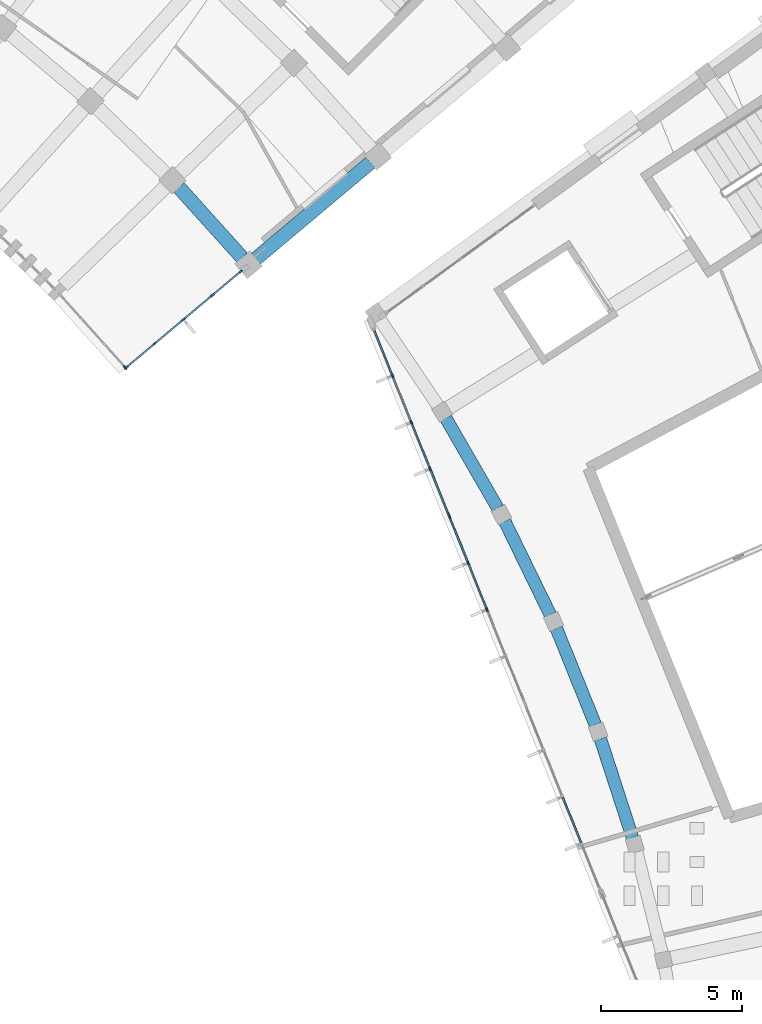
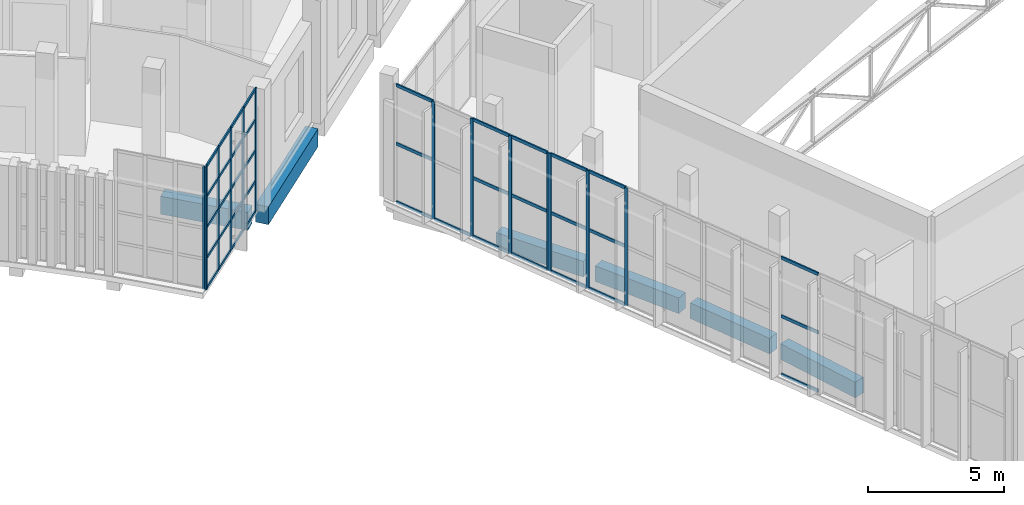
# One storey, part 23 of 112: 52 members, 6 beams, 5 elements without a shape of their own.
"""IFC4 building model written with IfcOpenShell, lengths in metres."""

from ifc_helpers import new_model, si_unit, direction, frame, origin, origin_2d, place, context, subcontext, project, spatial, rectangle, extrude, material, layer, layer_set, material_profile, profile_set, type_object, element, aggregate, save


model = new_model("IFC4")

# Units and contexts
model_context = context("Model", 3, precision=1e-05, world=origin(), true_north=direction((0.0, 1.0)))
body_context = subcontext(model_context, "Body", "Model", "MODEL_VIEW")
ifc_project = project(units=[si_unit("LENGTHUNIT", "METRE"), si_unit("AREAUNIT", "SQUARE_METRE"), si_unit("VOLUMEUNIT", "CUBIC_METRE"), si_unit("PLANEANGLEUNIT", "RADIAN"), si_unit("MASSUNIT", "GRAM", prefix="KILO")], contexts=[model_context])

# Site, building, storey
site_placement = place(None, origin())
site = spatial("IfcSite", under=ifc_project, at=site_placement, CompositionType="ELEMENT")
building_placement = place(site_placement, origin())
building = spatial("IfcBuilding", under=site, at=building_placement, Name="Lunette Opera House", CompositionType="ELEMENT")
storey_placement = place(building_placement, frame((0.0, 0.0, 6.0)))
storey = spatial("IfcBuildingStorey", under=building, at=storey_placement, Name="L01", CompositionType="ELEMENT", Elevation=6.0)

# Curtain wall, members
ifc_material_1 = material(Name="Aluminium", Category="aluminium")
ifc_layer_1 = layer(ifc_material_1, 0.139892578125)
ifc_layer_set_1 = layer_set([ifc_layer_1], Name="Aluminium")
curtain_wall_type_1 = type_object("IfcCurtainWallType", Name="STUDIO CURTAIN WALL", PredefinedType="NOTDEFINED", material=ifc_layer_set_1)
curtain_wall_1_placement = place(storey_placement, origin())
curtain_wall_1 = element("IfcCurtainWall", 1, at=curtain_wall_1_placement, inside=storey, type_object=curtain_wall_type_1, Name="Studio Curtain Wall F05 L01", PredefinedType="NOTDEFINED")
ifc_material_2 = material(Name="Aluminium", Category="aluminium")
ifc_material_profile_1 = material_profile(ifc_material_2, rectangle(XDim=0.06005859375, YDim=0.139892578125, at=origin_2d()), Name="MULLION 60 X 140")
ifc_profile_set_1 = profile_set([ifc_material_profile_1], Name="Aluminium")
member_type_1 = type_object("IfcMemberType", Name="MULLION 60 X 140", PredefinedType="MULLION", material=ifc_profile_set_1)
member_1_placement = place(storey_placement, frame((145.545166015625, 33.3427734375, 0.0), z_axis=(0.0, 0.0, 1.0), x_axis=(0.927167994967, 0.37464584491, 0.0)))
member_1 = element("IfcMember", 2, at=member_1_placement, type_object=member_type_1, Name="SB-X2008 mullion 2", PredefinedType="MULLION", context=body_context, shape_type="SweptSolid", body=[
    extrude(rectangle(XDim=0.06005859375, YDim=0.139892578125, at=origin_2d()), origin(), (0.0, 0.0, 1.0), 5.280029296875),
])
member_2_placement = place(storey_placement, frame((146.214599609375, 31.6865234375, 0.0), z_axis=(0.0, 0.0, 1.0), x_axis=(0.927167994967, 0.37464584491, 0.0)))
member_2 = element("IfcMember", 3, at=member_2_placement, type_object=member_type_1, Name="SB-X2008 mullion 3", PredefinedType="MULLION", context=body_context, shape_type="SweptSolid", body=[
    extrude(rectangle(XDim=0.06005859375, YDim=0.139892578125, at=origin_2d()), origin(), (0.0, 0.0, 1.0), 5.280029296875),
])
member_3_placement = place(storey_placement, frame((146.8837890625, 30.0302734375, 0.0), z_axis=(0.0, 0.0, 1.0), x_axis=(0.927167994967, 0.37464584491, 0.0)))
member_3 = element("IfcMember", 4, at=member_3_placement, type_object=member_type_1, Name="SB-X2008 mullion 4", PredefinedType="MULLION", context=body_context, shape_type="SweptSolid", body=[
    extrude(rectangle(XDim=0.06005859375, YDim=0.139892578125, at=origin_2d()), origin(), (0.0, 0.0, 1.0), 5.280029296875),
])
member_4_placement = place(storey_placement, frame((147.541748046875, 28.40185546875, 0.0), z_axis=(0.0, 0.0, 1.0), x_axis=(0.927167994967, 0.37464584491, 0.0)))
member_4 = element("IfcMember", 5, at=member_4_placement, type_object=member_type_1, Name="SB-X2008 mullion 5", PredefinedType="MULLION", context=body_context, shape_type="SweptSolid", body=[
    extrude(rectangle(XDim=0.06005859375, YDim=0.139892578125, at=origin_2d()), origin(), (0.0, 0.0, 1.0), 5.280029296875),
])

curtain_wall_2_placement = place(storey_placement, origin())
curtain_wall_2 = element("IfcCurtainWall", 6, at=curtain_wall_2_placement, inside=storey, type_object=curtain_wall_type_1, Name="Studio Curtain Wall F06 L01", PredefinedType="NOTDEFINED")
member_5_placement = place(storey_placement, frame((147.5751953125, 28.318115234375, 0.0), z_axis=(0.0, 0.0, 1.0), x_axis=(0.927187634441, 0.374597237762, 0.0)))
member_5 = element("IfcMember", 7, at=member_5_placement, type_object=member_type_1, Name="SB-X2009 mullion 1", PredefinedType="MULLION", context=body_context, shape_type="SweptSolid", body=[
    extrude(rectangle(XDim=0.06005859375, YDim=0.139892578125, at=origin_2d()), origin(), (0.0, 0.0, 1.0), 5.280029296875),
])
member_6_placement = place(storey_placement, frame((148.233154296875, 26.689453125, 0.0), z_axis=(0.0, 0.0, 1.0), x_axis=(0.927187634441, 0.374597237762, 0.0)))
member_6 = element("IfcMember", 8, at=member_6_placement, type_object=member_type_1, Name="SB-X2009 mullion 2", PredefinedType="MULLION", context=body_context, shape_type="SweptSolid", body=[
    extrude(rectangle(XDim=0.06005859375, YDim=0.139892578125, at=origin_2d()), origin(), (0.0, 0.0, 1.0), 5.280029296875),
])
member_7_placement = place(storey_placement, frame((148.902587890625, 25.032958984375, 0.0), z_axis=(0.0, 0.0, 1.0), x_axis=(0.927187634441, 0.374597237762, 0.0)))
member_7 = element("IfcMember", 9, at=member_7_placement, type_object=member_type_1, Name="SB-X2009 mullion 3", PredefinedType="MULLION", context=body_context, shape_type="SweptSolid", body=[
    extrude(rectangle(XDim=0.06005859375, YDim=0.139892578125, at=origin_2d()), origin(), (0.0, 0.0, 1.0), 5.280029296875),
])

# Curtain wall, member
ifc_material_3 = material(Name="Aluminium", Category="aluminium")
ifc_layer_2 = layer(ifc_material_3, 0.159912109375)
ifc_layer_set_2 = layer_set([ifc_layer_2], Name="Aluminium")
curtain_wall_type_2 = type_object("IfcCurtainWallType", Name="CORNER CURTAIN WALL", PredefinedType="NOTDEFINED", material=ifc_layer_set_2)
curtain_wall_3_placement = place(storey_placement, origin())
curtain_wall_3 = element("IfcCurtainWall", 10, at=curtain_wall_3_placement, inside=storey, type_object=curtain_wall_type_2, Name="Corner Curtain Wall GC-E1 L01", PredefinedType="NOTDEFINED")
ifc_material_4 = material(Name="Aluminium", Category="aluminium")
ifc_material_profile_2 = material_profile(ifc_material_4, rectangle(XDim=0.06005859375, YDim=0.159912109375, at=origin_2d()), Name="MULLION 60 X 160")
ifc_profile_set_2 = profile_set([ifc_material_profile_2], Name="Aluminium")
member_type_2 = type_object("IfcMemberType", Name="MULLION 60 X 160", PredefinedType="MULLION", material=ifc_profile_set_2)
member_8_placement = place(storey_placement, frame((136.0439453125, 33.640380859375, 0.0), z_axis=(0.0, 0.0, 1.0), x_axis=(0.744216793887, 0.667938143615, 0.0)))
member_8 = element("IfcMember", 11, at=member_8_placement, type_object=member_type_2, Name="FC-X2173 mullion 4", PredefinedType="MULLION", context=body_context, shape_type="SweptSolid", body=[
    extrude(rectangle(XDim=0.06005859375, YDim=0.159912109375, at=origin_2d()), origin(), (0.0, 0.0, 1.0), 5.5),
])
aggregate(curtain_wall_3, [member_8])

# Curtain wall, members
curtain_wall_4_placement = place(storey_placement, origin())
curtain_wall_4 = element("IfcCurtainWall", 12, at=curtain_wall_4_placement, inside=storey, type_object=curtain_wall_type_2, Name="Corner Curtain Wall GC-E2 L01", PredefinedType="NOTDEFINED")
member_9_placement = place(storey_placement, frame((136.0869140625, 33.63720703125, 0.0), z_axis=(0.0, 0.0, 1.0), x_axis=(-0.64282816277, 0.766010413212, 0.0)))
member_9 = element("IfcMember", 13, at=member_9_placement, type_object=member_type_2, Name="FC-X2174 mullion 1", PredefinedType="MULLION", context=body_context, shape_type="SweptSolid", body=[
    extrude(rectangle(XDim=0.06005859375, YDim=0.159912109375, at=origin_2d()), origin(), (0.0, 0.0, 1.0), 5.5),
])
member_10_placement = place(storey_placement, frame((137.08837890625, 34.477783203125, 0.0), z_axis=(0.0, 0.0, 1.0), x_axis=(-0.64282816277, 0.766010413212, 0.0)))
member_10 = element("IfcMember", 14, at=member_10_placement, type_object=member_type_2, Name="FC-X2174 mullion 2", PredefinedType="MULLION", context=body_context, shape_type="SweptSolid", body=[
    extrude(rectangle(XDim=0.06005859375, YDim=0.159912109375, at=origin_2d()), origin(), (0.0, 0.0, 1.0), 5.5),
])
member_11_placement = place(storey_placement, frame((138.113037109375, 35.33740234375, 0.0), z_axis=(0.0, 0.0, 1.0), x_axis=(-0.64282816277, 0.766010413212, 0.0)))
member_11 = element("IfcMember", 15, at=member_11_placement, type_object=member_type_2, Name="FC-X2174 mullion 3", PredefinedType="MULLION", context=body_context, shape_type="SweptSolid", body=[
    extrude(rectangle(XDim=0.06005859375, YDim=0.159912109375, at=origin_2d()), origin(), (0.0, 0.0, 1.0), 5.5),
])
member_12_placement = place(storey_placement, frame((139.137451171875, 36.197265625, 0.0), z_axis=(0.0, 0.0, 1.0), x_axis=(-0.64282816277, 0.766010413212, 0.0)))
member_12 = element("IfcMember", 16, at=member_12_placement, type_object=member_type_2, Name="FC-X2174 mullion 4", PredefinedType="MULLION", context=body_context, shape_type="SweptSolid", body=[
    extrude(rectangle(XDim=0.06005859375, YDim=0.159912109375, at=origin_2d()), origin(), (0.0, 0.0, 1.0), 5.5),
])
member_13_placement = place(storey_placement, frame((140.138916015625, 37.03759765625, 0.0), z_axis=(0.0, 0.0, 1.0), x_axis=(-0.64282816277, 0.766010413212, 0.0)))
member_13 = element("IfcMember", 17, at=member_13_placement, type_object=member_type_2, Name="FC-X2174 mullion 5", PredefinedType="MULLION", context=body_context, shape_type="SweptSolid", body=[
    extrude(rectangle(XDim=0.06005859375, YDim=0.159912109375, at=origin_2d()), origin(), (0.0, 0.0, 1.0), 5.5),
])

# Beams
ifc_material_5 = material(Name="Concrete C35/45", Category="concrete")
ifc_material_profile_3 = material_profile(ifc_material_5, rectangle(XDim=0.449951171875, YDim=0.699951171875, at=origin_2d()), Name="RC BEAM 450X700")
ifc_profile_set_3 = profile_set([ifc_material_profile_3], Name="Concrete C35/45")
beam_type_1 = type_object("IfcBeamType", Name="RC BEAM 450X700", PredefinedType="BEAM", material=ifc_profile_set_3)
beam_1_placement = place(storey_placement, frame((147.43896484375, 31.8310546875, -0.570068359375), z_axis=(0.50011347935, -0.865959876537, 0.0), x_axis=(0.865959876537, 0.50011347935, 0.0)))
element("IfcBeam", 18, at=beam_1_placement, inside=storey, type_object=beam_type_1, Name="beam-SB-L01-L01-RG01", PredefinedType="BEAM", context=body_context, shape_type="SweptSolid", body=[
    extrude(rectangle(XDim=0.449951171875, YDim=0.699951171875, at=origin_2d()), origin(), (0.0, 0.0, 1.0), 3.693115234375),
])
for number, where, z_axis, x_axis, name in (
    (19, (149.533935546875, 28.1650390625, -0.570068359375), (0.438439261918, -0.898760821136, 0.0), (0.898760821136, 0.438439261918, 0.0), "beam-SB-L01-L01-RG02"),
    (20, (151.368896484375, 24.362060546875, -0.570068359375), (0.374523169532, -0.927217555638, 0.0), (0.927217555638, 0.374523169532, 0.0), "beam-SB-L01-L01-RG03"),
):
    element("IfcBeam", number, at=place(storey_placement, frame(where, z_axis=z_axis, x_axis=x_axis)), inside=storey, type_object=beam_type_1, Name=name, PredefinedType="BEAM", context=body_context, shape_type="SweptSolid", body=[
        extrude(rectangle(XDim=0.449951171875, YDim=0.699951171875, at=origin_2d()), origin(), (0.0, 0.0, 1.0), 3.69287109375),
    ])
beam_2_placement = place(storey_placement, frame((152.93310546875, 20.43994140625, -0.570068359375), z_axis=(0.30895899574, -0.951075359239, 0.0), x_axis=(0.951075359239, 0.30895899574, 0.0)))
element("IfcBeam", 21, at=beam_2_placement, inside=storey, type_object=beam_type_1, Name="beam-SB-L01-L01-RG04", PredefinedType="BEAM", context=body_context, shape_type="SweptSolid", body=[
    extrude(rectangle(XDim=0.449951171875, YDim=0.699951171875, at=origin_2d()), origin(), (0.0, 0.0, 1.0), 3.692626953125),
])
ifc_material_6 = material(Name="Concrete C35/45", Category="concrete")
ifc_material_profile_4 = material_profile(ifc_material_6, rectangle(XDim=0.5, YDim=0.800048828125, at=origin_2d()), Name="RC BEAM 500X800")
ifc_profile_set_4 = profile_set([ifc_material_profile_4], Name="Concrete C35/45")
beam_type_2 = type_object("IfcBeamType", Name="RC BEAM 500X800", PredefinedType="BEAM", material=ifc_profile_set_4)
beam_3_placement = place(storey_placement, frame((140.69091796875, 37.5, -0.6201171875), z_axis=(0.766004921062, 0.642834707299, 0.0), x_axis=(-0.642834707299, 0.766004921062, 0.0)))
element("IfcBeam", 22, at=beam_3_placement, inside=storey, type_object=beam_type_2, Name="beam-FC-L01-L01-RB-RL-26-2", PredefinedType="BEAM", context=body_context, shape_type="SweptSolid", body=[
    extrude(rectangle(XDim=0.5, YDim=0.800048828125, at=origin_2d()), origin(), (0.0, 0.0, 1.0), 5.320068359375),
])
beam_4_placement = place(storey_placement, frame((137.949951171875, 40.037109375, -0.6201171875), z_axis=(0.669120953551, -0.743153516791, 0.0), x_axis=(0.743153516791, 0.669120953551, 0.0)))
element("IfcBeam", 23, at=beam_4_placement, inside=storey, type_object=beam_type_2, Name="beam-FC-L01-L01-RG-AR-M1-RL-25", PredefinedType="BEAM", context=body_context, shape_type="SweptSolid", body=[
    extrude(rectangle(XDim=0.5, YDim=0.800048828125, at=origin_2d()), origin(), (0.0, 0.0, 1.0), 3.366943359375),
])

# Member
ifc_material_7 = material(Name="Aluminium", Category="aluminium")
ifc_material_profile_5 = material_profile(ifc_material_7, rectangle(XDim=0.06005859375, YDim=0.1201171875, at=origin_2d()), Name="TRANSOM 60 X 120")
ifc_profile_set_5 = profile_set([ifc_material_profile_5], Name="Aluminium")
member_type_3 = type_object("IfcMemberType", Name="TRANSOM 60 X 120", PredefinedType="USERDEFINED", material=ifc_profile_set_5)
member_14_placement = place(storey_placement, frame((136.10986328125, 33.656494140625, 0.030029296875), z_axis=(0.765970812131, 0.642875349476, 0.0), x_axis=(-0.642875349476, 0.765970812131, 0.0)))
member_14 = element("IfcMember", 24, at=member_14_placement, type_object=member_type_3, Name="FC-X2174 transom 1.1", ObjectType="TRANSOM", PredefinedType="USERDEFINED", context=body_context, shape_type="SweptSolid", body=[
    extrude(rectangle(XDim=0.06005859375, YDim=0.1201171875, at=origin_2d()), origin(), (0.0, 0.0, 1.0), 1.24755859375),
])

member_15_placement = place(storey_placement, frame((136.10986328125, 33.656494140625, 1.375), z_axis=(0.765970812131, 0.642875349476, 0.0), x_axis=(-0.642875349476, 0.765970812131, 0.0)))
member_15 = element("IfcMember", 25, at=member_15_placement, type_object=member_type_3, Name="FC-X2174 transom 1.2", ObjectType="TRANSOM", PredefinedType="USERDEFINED", context=body_context, shape_type="SweptSolid", body=[
    extrude(rectangle(XDim=0.06005859375, YDim=0.1201171875, at=origin_2d()), origin(), (0.0, 0.0, 1.0), 1.24755859375),
])

member_16_placement = place(storey_placement, frame((136.10986328125, 33.656494140625, 2.75), z_axis=(0.765970812131, 0.642875349476, 0.0), x_axis=(-0.642875349476, 0.765970812131, 0.0)))
member_16 = element("IfcMember", 26, at=member_16_placement, type_object=member_type_3, Name="FC-X2174 transom 1.3", ObjectType="TRANSOM", PredefinedType="USERDEFINED", context=body_context, shape_type="SweptSolid", body=[
    extrude(rectangle(XDim=0.06005859375, YDim=0.1201171875, at=origin_2d()), origin(), (0.0, 0.0, 1.0), 1.24755859375),
])

member_17_placement = place(storey_placement, frame((136.10986328125, 33.656494140625, 4.125), z_axis=(0.765970812131, 0.642875349476, 0.0), x_axis=(-0.642875349476, 0.765970812131, 0.0)))
member_17 = element("IfcMember", 27, at=member_17_placement, type_object=member_type_3, Name="FC-X2174 transom 1.4", ObjectType="TRANSOM", PredefinedType="USERDEFINED", context=body_context, shape_type="SweptSolid", body=[
    extrude(rectangle(XDim=0.06005859375, YDim=0.1201171875, at=origin_2d()), origin(), (0.0, 0.0, 1.0), 1.24755859375),
])

member_18_placement = place(storey_placement, frame((136.10986328125, 33.656494140625, 5.469970703125), z_axis=(0.765970812131, 0.642875349476, 0.0), x_axis=(-0.642875349476, 0.765970812131, 0.0)))
member_18 = element("IfcMember", 28, at=member_18_placement, type_object=member_type_3, Name="FC-X2174 transom 1.5", ObjectType="TRANSOM", PredefinedType="USERDEFINED", context=body_context, shape_type="SweptSolid", body=[
    extrude(rectangle(XDim=0.06005859375, YDim=0.1201171875, at=origin_2d()), origin(), (0.0, 0.0, 1.0), 1.24755859375),
])

member_19_placement = place(storey_placement, frame((137.111572265625, 34.4970703125, 0.030029296875), z_axis=(0.766054919939, 0.642775123692, 0.0), x_axis=(-0.642775123692, 0.766054919939, 0.0)))
member_19 = element("IfcMember", 29, at=member_19_placement, type_object=member_type_3, Name="FC-X2174 transom 2.1", ObjectType="TRANSOM", PredefinedType="USERDEFINED", context=body_context, shape_type="SweptSolid", body=[
    extrude(rectangle(XDim=0.06005859375, YDim=0.1201171875, at=origin_2d()), origin(), (0.0, 0.0, 1.0), 1.27734375),
])

member_20_placement = place(storey_placement, frame((137.111572265625, 34.4970703125, 1.375), z_axis=(0.766054919939, 0.642775123692, 0.0), x_axis=(-0.642775123692, 0.766054919939, 0.0)))
member_20 = element("IfcMember", 30, at=member_20_placement, type_object=member_type_3, Name="FC-X2174 transom 2.2", ObjectType="TRANSOM", PredefinedType="USERDEFINED", context=body_context, shape_type="SweptSolid", body=[
    extrude(rectangle(XDim=0.06005859375, YDim=0.1201171875, at=origin_2d()), origin(), (0.0, 0.0, 1.0), 1.27734375),
])

member_21_placement = place(storey_placement, frame((137.111572265625, 34.4970703125, 2.75), z_axis=(0.766054919939, 0.642775123692, 0.0), x_axis=(-0.642775123692, 0.766054919939, 0.0)))
member_21 = element("IfcMember", 31, at=member_21_placement, type_object=member_type_3, Name="FC-X2174 transom 2.3", ObjectType="TRANSOM", PredefinedType="USERDEFINED", context=body_context, shape_type="SweptSolid", body=[
    extrude(rectangle(XDim=0.06005859375, YDim=0.1201171875, at=origin_2d()), origin(), (0.0, 0.0, 1.0), 1.27734375),
])

member_22_placement = place(storey_placement, frame((137.111572265625, 34.4970703125, 4.125), z_axis=(0.766054919939, 0.642775123692, 0.0), x_axis=(-0.642775123692, 0.766054919939, 0.0)))
member_22 = element("IfcMember", 32, at=member_22_placement, type_object=member_type_3, Name="FC-X2174 transom 2.4", ObjectType="TRANSOM", PredefinedType="USERDEFINED", context=body_context, shape_type="SweptSolid", body=[
    extrude(rectangle(XDim=0.06005859375, YDim=0.1201171875, at=origin_2d()), origin(), (0.0, 0.0, 1.0), 1.27734375),
])

member_23_placement = place(storey_placement, frame((137.111572265625, 34.4970703125, 5.469970703125), z_axis=(0.766054919939, 0.642775123692, 0.0), x_axis=(-0.642775123692, 0.766054919939, 0.0)))
member_23 = element("IfcMember", 33, at=member_23_placement, type_object=member_type_3, Name="FC-X2174 transom 2.5", ObjectType="TRANSOM", PredefinedType="USERDEFINED", context=body_context, shape_type="SweptSolid", body=[
    extrude(rectangle(XDim=0.06005859375, YDim=0.1201171875, at=origin_2d()), origin(), (0.0, 0.0, 1.0), 1.27734375),
])

member_24_placement = place(storey_placement, frame((138.135986328125, 35.356689453125, 0.030029296875), z_axis=(0.765960809958, 0.642887266641, 0.0), x_axis=(-0.642887266641, 0.765960809958, 0.0)))
member_24 = element("IfcMember", 34, at=member_24_placement, type_object=member_type_3, Name="FC-X2174 transom 3.1", ObjectType="TRANSOM", PredefinedType="USERDEFINED", context=body_context, shape_type="SweptSolid", body=[
    extrude(rectangle(XDim=0.06005859375, YDim=0.1201171875, at=origin_2d()), origin(), (0.0, 0.0, 1.0), 1.277587890625),
])

member_25_placement = place(storey_placement, frame((138.135986328125, 35.356689453125, 1.375), z_axis=(0.765960809958, 0.642887266641, 0.0), x_axis=(-0.642887266641, 0.765960809958, 0.0)))
member_25 = element("IfcMember", 35, at=member_25_placement, type_object=member_type_3, Name="FC-X2174 transom 3.2", ObjectType="TRANSOM", PredefinedType="USERDEFINED", context=body_context, shape_type="SweptSolid", body=[
    extrude(rectangle(XDim=0.06005859375, YDim=0.1201171875, at=origin_2d()), origin(), (0.0, 0.0, 1.0), 1.277587890625),
])

member_26_placement = place(storey_placement, frame((138.135986328125, 35.356689453125, 2.75), z_axis=(0.765960809958, 0.642887266641, 0.0), x_axis=(-0.642887266641, 0.765960809958, 0.0)))
member_26 = element("IfcMember", 36, at=member_26_placement, type_object=member_type_3, Name="FC-X2174 transom 3.3", ObjectType="TRANSOM", PredefinedType="USERDEFINED", context=body_context, shape_type="SweptSolid", body=[
    extrude(rectangle(XDim=0.06005859375, YDim=0.1201171875, at=origin_2d()), origin(), (0.0, 0.0, 1.0), 1.277587890625),
])

member_27_placement = place(storey_placement, frame((138.135986328125, 35.356689453125, 4.125), z_axis=(0.765960809958, 0.642887266641, 0.0), x_axis=(-0.642887266641, 0.765960809958, 0.0)))
member_27 = element("IfcMember", 37, at=member_27_placement, type_object=member_type_3, Name="FC-X2174 transom 3.4", ObjectType="TRANSOM", PredefinedType="USERDEFINED", context=body_context, shape_type="SweptSolid", body=[
    extrude(rectangle(XDim=0.06005859375, YDim=0.1201171875, at=origin_2d()), origin(), (0.0, 0.0, 1.0), 1.277587890625),
])

member_28_placement = place(storey_placement, frame((138.135986328125, 35.356689453125, 5.469970703125), z_axis=(0.765960809958, 0.642887266641, 0.0), x_axis=(-0.642887266641, 0.765960809958, 0.0)))
member_28 = element("IfcMember", 38, at=member_28_placement, type_object=member_type_3, Name="FC-X2174 transom 3.5", ObjectType="TRANSOM", PredefinedType="USERDEFINED", context=body_context, shape_type="SweptSolid", body=[
    extrude(rectangle(XDim=0.06005859375, YDim=0.1201171875, at=origin_2d()), origin(), (0.0, 0.0, 1.0), 1.277587890625),
])

member_29_placement = place(storey_placement, frame((139.160400390625, 36.216552734375, 0.030029296875), z_axis=(0.766067183103, 0.642760508255, 0.0), x_axis=(-0.642760508255, 0.766067183103, 0.0)))
member_29 = element("IfcMember", 39, at=member_29_placement, type_object=member_type_3, Name="FC-X2174 transom 4.1", ObjectType="TRANSOM", PredefinedType="USERDEFINED", context=body_context, shape_type="SweptSolid", body=[
    extrude(rectangle(XDim=0.06005859375, YDim=0.1201171875, at=origin_2d()), origin(), (0.0, 0.0, 1.0), 1.247314453125),
])

member_30_placement = place(storey_placement, frame((139.160400390625, 36.216552734375, 1.375), z_axis=(0.766067183103, 0.642760508255, 0.0), x_axis=(-0.642760508255, 0.766067183103, 0.0)))
member_30 = element("IfcMember", 40, at=member_30_placement, type_object=member_type_3, Name="FC-X2174 transom 4.2", ObjectType="TRANSOM", PredefinedType="USERDEFINED", context=body_context, shape_type="SweptSolid", body=[
    extrude(rectangle(XDim=0.06005859375, YDim=0.1201171875, at=origin_2d()), origin(), (0.0, 0.0, 1.0), 1.247314453125),
])

member_31_placement = place(storey_placement, frame((139.160400390625, 36.216552734375, 2.75), z_axis=(0.766067183103, 0.642760508255, 0.0), x_axis=(-0.642760508255, 0.766067183103, 0.0)))
member_31 = element("IfcMember", 41, at=member_31_placement, type_object=member_type_3, Name="FC-X2174 transom 4.3", ObjectType="TRANSOM", PredefinedType="USERDEFINED", context=body_context, shape_type="SweptSolid", body=[
    extrude(rectangle(XDim=0.06005859375, YDim=0.1201171875, at=origin_2d()), origin(), (0.0, 0.0, 1.0), 1.247314453125),
])

member_32_placement = place(storey_placement, frame((139.160400390625, 36.216552734375, 4.125), z_axis=(0.766067183103, 0.642760508255, 0.0), x_axis=(-0.642760508255, 0.766067183103, 0.0)))
member_32 = element("IfcMember", 42, at=member_32_placement, type_object=member_type_3, Name="FC-X2174 transom 4.4", ObjectType="TRANSOM", PredefinedType="USERDEFINED", context=body_context, shape_type="SweptSolid", body=[
    extrude(rectangle(XDim=0.06005859375, YDim=0.1201171875, at=origin_2d()), origin(), (0.0, 0.0, 1.0), 1.247314453125),
])

member_33_placement = place(storey_placement, frame((139.160400390625, 36.216552734375, 5.469970703125), z_axis=(0.766067183103, 0.642760508255, 0.0), x_axis=(-0.642760508255, 0.766067183103, 0.0)))
member_33 = element("IfcMember", 43, at=member_33_placement, type_object=member_type_3, Name="FC-X2174 transom 4.5", ObjectType="TRANSOM", PredefinedType="USERDEFINED", context=body_context, shape_type="SweptSolid", body=[
    extrude(rectangle(XDim=0.06005859375, YDim=0.1201171875, at=origin_2d()), origin(), (0.0, 0.0, 1.0), 1.247314453125),
])

aggregate(curtain_wall_4, [member_9, member_10, member_11, member_12, member_13, member_14, member_15, member_16, member_17, member_18, member_19, member_20, member_21, member_22, member_23, member_24, member_25, member_26, member_27, member_28, member_29, member_30, member_31, member_32, member_33])

ifc_material_8 = material(Name="Aluminium", Category="aluminium")
ifc_material_profile_6 = material_profile(ifc_material_8, rectangle(XDim=0.06005859375, YDim=0.139892578125, at=origin_2d()), Name="TRANSOM 60 X 140")
ifc_profile_set_6 = profile_set([ifc_material_profile_6], Name="Aluminium")
member_type_4 = type_object("IfcMemberType", Name="TRANSOM 60 X 140", PredefinedType="USERDEFINED", material=ifc_profile_set_6)
member_34_placement = place(storey_placement, frame((144.8984375, 34.943359375, 0.030029296875), z_axis=(0.374639140431, -0.927170704055, 0.0), x_axis=(0.927170704055, 0.374639140431, 0.0)))
member_34 = element("IfcMember", 44, at=member_34_placement, type_object=member_type_4, Name="SB-X2008 transom 1.1", ObjectType="TRANSOM", PredefinedType="USERDEFINED", context=body_context, shape_type="SweptSolid", body=[
    extrude(rectangle(XDim=0.06005859375, YDim=0.139892578125, at=origin_2d()), origin(), (0.0, 0.0, 1.0), 1.6962890625),
])

member_35_placement = place(storey_placement, frame((144.8984375, 34.943359375, 2.639892578125), z_axis=(0.374639140431, -0.927170704055, 0.0), x_axis=(0.927170704055, 0.374639140431, 0.0)))
member_35 = element("IfcMember", 45, at=member_35_placement, type_object=member_type_4, Name="SB-X2008 transom 1.2", ObjectType="TRANSOM", PredefinedType="USERDEFINED", context=body_context, shape_type="SweptSolid", body=[
    extrude(rectangle(XDim=0.06005859375, YDim=0.139892578125, at=origin_2d()), origin(), (0.0, 0.0, 1.0), 1.6962890625),
])

member_36_placement = place(storey_placement, frame((144.8984375, 34.943359375, 5.25), z_axis=(0.374639140431, -0.927170704055, 0.0), x_axis=(0.927170704055, 0.374639140431, 0.0)))
member_36 = element("IfcMember", 46, at=member_36_placement, type_object=member_type_4, Name="SB-X2008 transom 1.3", ObjectType="TRANSOM", PredefinedType="USERDEFINED", context=body_context, shape_type="SweptSolid", body=[
    extrude(rectangle(XDim=0.06005859375, YDim=0.139892578125, at=origin_2d()), origin(), (0.0, 0.0, 1.0), 1.6962890625),
])

member_37_placement = place(storey_placement, frame((145.556396484375, 33.31494140625, 0.030029296875), z_axis=(0.374752968259, -0.92712470185, 0.0), x_axis=(0.92712470185, 0.374752968259, 0.0)))
member_37 = element("IfcMember", 47, at=member_37_placement, type_object=member_type_4, Name="SB-X2008 transom 2.1", ObjectType="TRANSOM", PredefinedType="USERDEFINED", context=body_context, shape_type="SweptSolid", body=[
    extrude(rectangle(XDim=0.06005859375, YDim=0.139892578125, at=origin_2d()), origin(), (0.0, 0.0, 1.0), 1.726318359375),
])

member_38_placement = place(storey_placement, frame((146.225830078125, 31.65869140625, 0.030029296875), z_axis=(0.374631402845, -0.927173830521, 0.0), x_axis=(0.927173830521, 0.374631402845, 0.0)))
member_38 = element("IfcMember", 48, at=member_38_placement, type_object=member_type_4, Name="SB-X2008 transom 3.1", ObjectType="TRANSOM", PredefinedType="USERDEFINED", context=body_context, shape_type="SweptSolid", body=[
    extrude(rectangle(XDim=0.06005859375, YDim=0.139892578125, at=origin_2d()), origin(), (0.0, 0.0, 1.0), 1.726318359375),
])

member_39_placement = place(storey_placement, frame((146.225830078125, 31.65869140625, 2.639892578125), z_axis=(0.374631402845, -0.927173830521, 0.0), x_axis=(0.927173830521, 0.374631402845, 0.0)))
member_39 = element("IfcMember", 49, at=member_39_placement, type_object=member_type_4, Name="SB-X2008 transom 3.2", ObjectType="TRANSOM", PredefinedType="USERDEFINED", context=body_context, shape_type="SweptSolid", body=[
    extrude(rectangle(XDim=0.06005859375, YDim=0.139892578125, at=origin_2d()), origin(), (0.0, 0.0, 1.0), 1.726318359375),
])

member_40_placement = place(storey_placement, frame((146.225830078125, 31.65869140625, 5.25), z_axis=(0.374631402845, -0.927173830521, 0.0), x_axis=(0.927173830521, 0.374631402845, 0.0)))
member_40 = element("IfcMember", 50, at=member_40_placement, type_object=member_type_4, Name="SB-X2008 transom 3.3", ObjectType="TRANSOM", PredefinedType="USERDEFINED", context=body_context, shape_type="SweptSolid", body=[
    extrude(rectangle(XDim=0.06005859375, YDim=0.139892578125, at=origin_2d()), origin(), (0.0, 0.0, 1.0), 1.726318359375),
])

member_41_placement = place(storey_placement, frame((146.89501953125, 30.00244140625, 0.030029296875), z_axis=(0.374639140431, -0.927170704055, 0.0), x_axis=(0.927170704055, 0.374639140431, 0.0)))
member_41 = element("IfcMember", 51, at=member_41_placement, type_object=member_type_4, Name="SB-X2008 transom 4.1", ObjectType="TRANSOM", PredefinedType="USERDEFINED", context=body_context, shape_type="SweptSolid", body=[
    extrude(rectangle(XDim=0.06005859375, YDim=0.139892578125, at=origin_2d()), origin(), (0.0, 0.0, 1.0), 1.6962890625),
])

member_42_placement = place(storey_placement, frame((146.89501953125, 30.00244140625, 2.639892578125), z_axis=(0.374639140431, -0.927170704055, 0.0), x_axis=(0.927170704055, 0.374639140431, 0.0)))
member_42 = element("IfcMember", 52, at=member_42_placement, type_object=member_type_4, Name="SB-X2008 transom 4.2", ObjectType="TRANSOM", PredefinedType="USERDEFINED", context=body_context, shape_type="SweptSolid", body=[
    extrude(rectangle(XDim=0.06005859375, YDim=0.139892578125, at=origin_2d()), origin(), (0.0, 0.0, 1.0), 1.6962890625),
])

member_43_placement = place(storey_placement, frame((146.89501953125, 30.00244140625, 5.25), z_axis=(0.374639140431, -0.927170704055, 0.0), x_axis=(0.927170704055, 0.374639140431, 0.0)))
member_43 = element("IfcMember", 53, at=member_43_placement, type_object=member_type_4, Name="SB-X2008 transom 4.3", ObjectType="TRANSOM", PredefinedType="USERDEFINED", context=body_context, shape_type="SweptSolid", body=[
    extrude(rectangle(XDim=0.06005859375, YDim=0.139892578125, at=origin_2d()), origin(), (0.0, 0.0, 1.0), 1.6962890625),
])

aggregate(curtain_wall_1, [member_1, member_2, member_3, member_4, member_34, member_35, member_36, member_37, member_38, member_39, member_40, member_41, member_42, member_43])

member_44_placement = place(storey_placement, frame((147.58642578125, 28.290283203125, 0.030029296875), z_axis=(0.374589153254, -0.927190900659, 0.0), x_axis=(0.927190900659, 0.374589153254, 0.0)))
member_44 = element("IfcMember", 54, at=member_44_placement, type_object=member_type_4, Name="SB-X2009 transom 1.1", ObjectType="TRANSOM", PredefinedType="USERDEFINED", context=body_context, shape_type="SweptSolid", body=[
    extrude(rectangle(XDim=0.06005859375, YDim=0.139892578125, at=origin_2d()), origin(), (0.0, 0.0, 1.0), 1.696533203125),
])

member_45_placement = place(storey_placement, frame((147.58642578125, 28.290283203125, 2.639892578125), z_axis=(0.374589153254, -0.927190900659, 0.0), x_axis=(0.927190900659, 0.374589153254, 0.0)))
member_45 = element("IfcMember", 55, at=member_45_placement, type_object=member_type_4, Name="SB-X2009 transom 1.2", ObjectType="TRANSOM", PredefinedType="USERDEFINED", context=body_context, shape_type="SweptSolid", body=[
    extrude(rectangle(XDim=0.06005859375, YDim=0.139892578125, at=origin_2d()), origin(), (0.0, 0.0, 1.0), 1.696533203125),
])

member_46_placement = place(storey_placement, frame((147.58642578125, 28.290283203125, 5.25), z_axis=(0.374589153254, -0.927190900659, 0.0), x_axis=(0.927190900659, 0.374589153254, 0.0)))
member_46 = element("IfcMember", 56, at=member_46_placement, type_object=member_type_4, Name="SB-X2009 transom 1.3", ObjectType="TRANSOM", PredefinedType="USERDEFINED", context=body_context, shape_type="SweptSolid", body=[
    extrude(rectangle(XDim=0.06005859375, YDim=0.139892578125, at=origin_2d()), origin(), (0.0, 0.0, 1.0), 1.696533203125),
])

member_47_placement = place(storey_placement, frame((148.244384765625, 26.66162109375, 0.030029296875), z_axis=(0.374703840138, -0.927144558408, 0.0), x_axis=(0.927144558408, 0.374703840138, 0.0)))
member_47 = element("IfcMember", 57, at=member_47_placement, type_object=member_type_4, Name="SB-X2009 transom 2.1", ObjectType="TRANSOM", PredefinedType="USERDEFINED", context=body_context, shape_type="SweptSolid", body=[
    extrude(rectangle(XDim=0.06005859375, YDim=0.139892578125, at=origin_2d()), origin(), (0.0, 0.0, 1.0), 1.7265625),
])

member_48_placement = place(storey_placement, frame((148.244384765625, 26.66162109375, 2.639892578125), z_axis=(0.374703840138, -0.927144558408, 0.0), x_axis=(0.927144558408, 0.374703840138, 0.0)))
member_48 = element("IfcMember", 58, at=member_48_placement, type_object=member_type_4, Name="SB-X2009 transom 2.2", ObjectType="TRANSOM", PredefinedType="USERDEFINED", context=body_context, shape_type="SweptSolid", body=[
    extrude(rectangle(XDim=0.06005859375, YDim=0.139892578125, at=origin_2d()), origin(), (0.0, 0.0, 1.0), 1.7265625),
])

member_49_placement = place(storey_placement, frame((148.244384765625, 26.66162109375, 5.25), z_axis=(0.374703840138, -0.927144558408, 0.0), x_axis=(0.927144558408, 0.374703840138, 0.0)))
member_49 = element("IfcMember", 59, at=member_49_placement, type_object=member_type_4, Name="SB-X2009 transom 2.3", ObjectType="TRANSOM", PredefinedType="USERDEFINED", context=body_context, shape_type="SweptSolid", body=[
    extrude(rectangle(XDim=0.06005859375, YDim=0.139892578125, at=origin_2d()), origin(), (0.0, 0.0, 1.0), 1.7265625),
])

aggregate(curtain_wall_2, [member_5, member_6, member_7, member_44, member_45, member_46, member_47, member_48, member_49])

# Curtain wall, members
curtain_wall_5_placement = place(storey_placement, origin())
curtain_wall_5 = element("IfcCurtainWall", 60, at=curtain_wall_5_placement, inside=storey, type_object=curtain_wall_type_1, Name="Studio Curtain Wall F07 L01", PredefinedType="NOTDEFINED")
member_50_placement = place(storey_placement, frame((151.601806640625, 18.351806640625, 0.030029296875), z_axis=(0.374582285456, -0.927193675249, 0.0), x_axis=(0.927193675249, 0.374582285456, 0.0)))
member_50 = element("IfcMember", 61, at=member_50_placement, type_object=member_type_4, Name="SB-X2010 transom 3.1", ObjectType="TRANSOM", PredefinedType="USERDEFINED", context=body_context, shape_type="SweptSolid", body=[
    extrude(rectangle(XDim=0.06005859375, YDim=0.139892578125, at=origin_2d()), origin(), (0.0, 0.0, 1.0), 1.7265625),
])
member_51_placement = place(storey_placement, frame((151.601806640625, 18.351806640625, 2.639892578125), z_axis=(0.374582285456, -0.927193675249, 0.0), x_axis=(0.927193675249, 0.374582285456, 0.0)))
member_51 = element("IfcMember", 62, at=member_51_placement, type_object=member_type_4, Name="SB-X2010 transom 3.2", ObjectType="TRANSOM", PredefinedType="USERDEFINED", context=body_context, shape_type="SweptSolid", body=[
    extrude(rectangle(XDim=0.06005859375, YDim=0.139892578125, at=origin_2d()), origin(), (0.0, 0.0, 1.0), 1.7265625),
])
member_52_placement = place(storey_placement, frame((151.601806640625, 18.351806640625, 5.25), z_axis=(0.374582285456, -0.927193675249, 0.0), x_axis=(0.927193675249, 0.374582285456, 0.0)))
member_52 = element("IfcMember", 63, at=member_52_placement, type_object=member_type_4, Name="SB-X2010 transom 3.3", ObjectType="TRANSOM", PredefinedType="USERDEFINED", context=body_context, shape_type="SweptSolid", body=[
    extrude(rectangle(XDim=0.06005859375, YDim=0.139892578125, at=origin_2d()), origin(), (0.0, 0.0, 1.0), 1.7265625),
])
aggregate(curtain_wall_5, [member_50, member_51, member_52])

save(model, "model.ifc")
